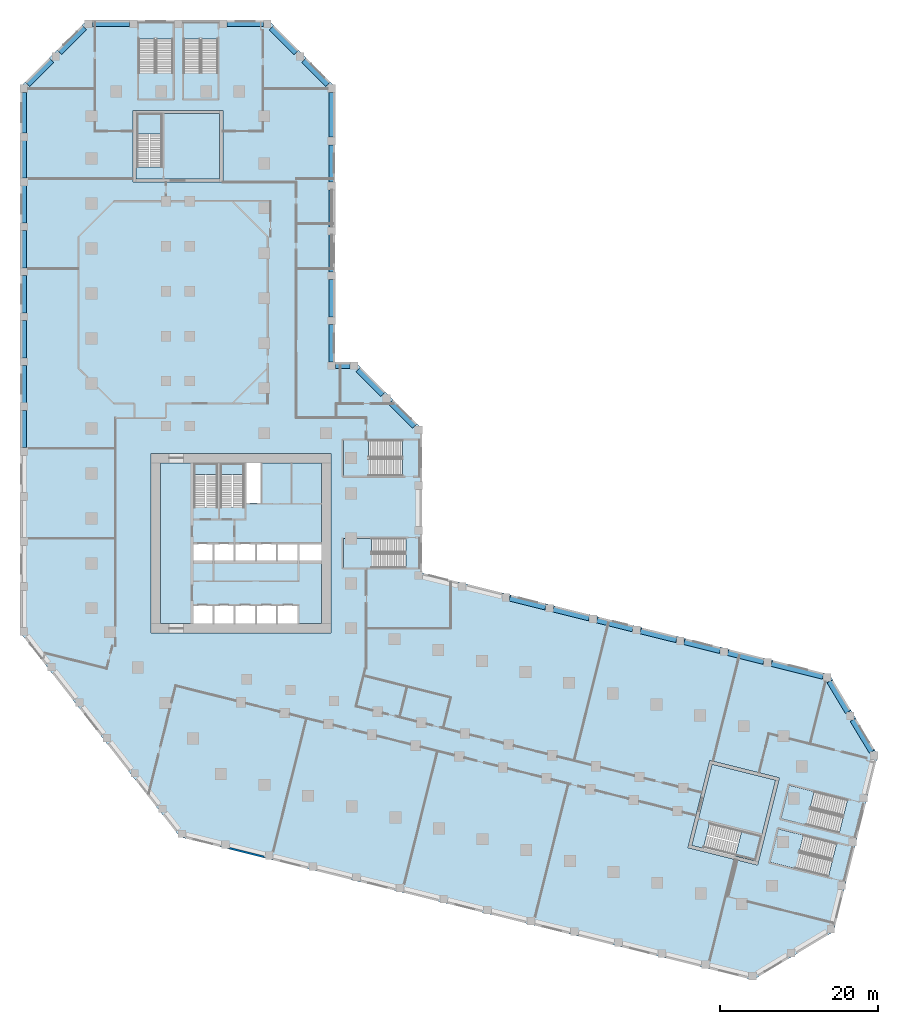
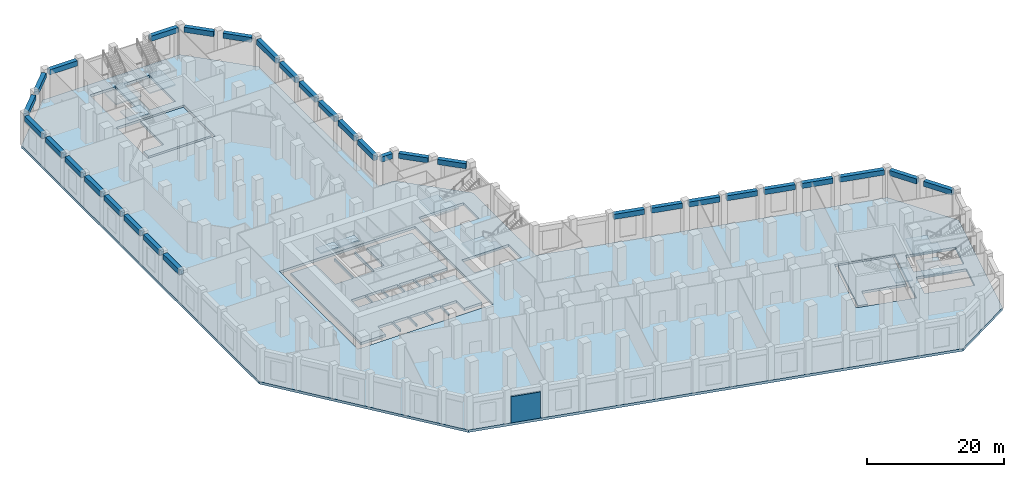
# One storey, part 2 of 15: 32 beams, 14 slabs, 1 wall, 10 elements without a shape of their own.
"""IFC4 building model written with IfcOpenShell, lengths in metres."""

from ifc_helpers import new_model, si_unit, direction, frame, frame_2d, origin, origin_2d, place, context, subcontext, project, spatial, polyline, rectangle, outline, extrude, material, layer, layer_set, material_profile, profile_set, type_object, element, aggregate, save


model = new_model("IFC4")

# Units and contexts
model_context = context("Model", 3, precision=1e-05, world=origin(), true_north=direction((0.0, 1.0)))
body_context = subcontext(model_context, "Body", "Model", "MODEL_VIEW")
ifc_project = project(units=[si_unit("LENGTHUNIT", "METRE"), si_unit("AREAUNIT", "SQUARE_METRE"), si_unit("VOLUMEUNIT", "CUBIC_METRE"), si_unit("PLANEANGLEUNIT", "RADIAN"), si_unit("MASSUNIT", "GRAM", prefix="KILO")], contexts=[model_context])

# Site, building, storey
site_placement = place(None, origin())
site = spatial("IfcSite", under=ifc_project, at=site_placement, CompositionType="ELEMENT")
building_placement = place(site_placement, origin())
building = spatial("IfcBuilding", under=site, at=building_placement, Name="Meshkara Civic Tower", CompositionType="ELEMENT")
storey_placement = place(building_placement, frame((0.0, 0.0, 12.60009765625)))
storey = spatial("IfcBuildingStorey", under=building, at=storey_placement, Name="L02", CompositionType="ELEMENT", Elevation=12.60009765625)

# Beams
ifc_material_1 = material(Name="Concrete C60", Category="concrete")
ifc_material_profile = material_profile(ifc_material_1, rectangle(XDim=0.699951171875, YDim=0.89990234375, at=origin_2d()))
ifc_profile_set = profile_set([ifc_material_profile], Name="Concrete C60")
beam_type = type_object("IfcBeamType", Name="Spandrel beam RC 700x900 C60", PredefinedType="BEAM", material=ifc_profile_set)
beam_1_placement = place(storey_placement, frame((30.403564453125, 83.652587890625, 5.099853515625), z_axis=(-0.707135193312, 0.707078367919, 0.0), x_axis=(-0.707078367919, -0.707135193312, 0.0)))
element("IfcBeam", 1, at=beam_1_placement, inside=storey, type_object=beam_type, Name="Spandrel beam PD12-E-PD13-01", PredefinedType="BEAM", context=body_context, shape_type="SweptSolid", body=[
    extrude(rectangle(XDim=0.699951171875, YDim=0.89990234375, at=origin_2d()), origin(), (0.0, 0.0, 1.0), 4.29638671875),
])
beam_2_placement = place(storey_placement, frame((26.37255859375, 87.68359375, 5.099853515625), z_axis=(-0.707134269933, 0.707079291371, 0.0), x_axis=(-0.707079291371, -0.707134269933, 0.0)))
element("IfcBeam", 2, at=beam_2_placement, inside=storey, type_object=beam_type, Name="Spandrel beam PD00-E-PD13-01", PredefinedType="BEAM", context=body_context, shape_type="SweptSolid", body=[
    extrude(rectangle(XDim=0.699951171875, YDim=0.89990234375, at=origin_2d()), origin(), (0.0, 0.0, 1.0), 4.440673828125),
])
beam_3_placement = place(storey_placement, frame((22.240966796875, 91.320068359375, 5.099853515625), z_axis=(-1.0, 0.0, 0.0), x_axis=(0.0, -1.0, 0.0)))
element("IfcBeam", 3, at=beam_3_placement, inside=storey, type_object=beam_type, Name="Spandrel beam PD00-03-PD00-E", PredefinedType="BEAM", context=body_context, shape_type="SweptSolid", body=[
    extrude(rectangle(XDim=0.699951171875, YDim=0.89990234375, at=origin_2d()), origin(), (0.0, 0.0, 1.0), 4.58203125),
])
beam_4_placement = place(storey_placement, frame((5.26904296875, 91.320068359375, 5.099853515625), z_axis=(-1.0, 0.0, 0.0), x_axis=(0.0, -1.0, 0.0)))
element("IfcBeam", 4, at=beam_4_placement, inside=storey, type_object=beam_type, Name="Spandrel beam PD00-00-PD00-01", PredefinedType="BEAM", context=body_context, shape_type="SweptSolid", body=[
    extrude(rectangle(XDim=0.699951171875, YDim=0.89990234375, at=origin_2d()), origin(), (0.0, 0.0, 1.0), 4.7099609375),
])
beam_5_placement = place(storey_placement, frame((-0.4326171875, 90.823486328125, 5.099853515625), z_axis=(-0.707106781187, -0.707106781187, 0.0), x_axis=(0.707106781187, -0.707106781187, 0.0)))
element("IfcBeam", 5, at=beam_5_placement, inside=storey, type_object=beam_type, Name="Spandrel beam PD00-00-PD01-01", PredefinedType="BEAM", context=body_context, shape_type="SweptSolid", body=[
    extrude(rectangle(XDim=0.699951171875, YDim=0.89990234375, at=origin_2d()), origin(), (0.0, 0.0, 1.0), 4.4404296875),
])
beam_6_placement = place(storey_placement, frame((-4.5654296875, 86.6904296875, 5.099853515625), z_axis=(-0.707135193312, -0.707078367919, 0.0), x_axis=(0.707078367919, -0.707135193312, 0.0)))
element("IfcBeam", 6, at=beam_6_placement, inside=storey, type_object=beam_type, Name="Spandrel beam PD01-00-PD01-01", PredefinedType="BEAM", context=body_context, shape_type="SweptSolid", body=[
    extrude(rectangle(XDim=0.699951171875, YDim=0.89990234375, at=origin_2d()), origin(), (0.0, 0.0, 1.0), 4.29638671875),
])
beam_7_placement = place(storey_placement, frame((-8.10009765625, 82.660888671875, 5.099853515625), z_axis=(0.0, -1.0, 0.0), x_axis=(1.0, 0.0, 0.0)))
element("IfcBeam", 7, at=beam_7_placement, inside=storey, type_object=beam_type, Name="Spandrel beam PD01-00-PD02-11", PredefinedType="BEAM", context=body_context, shape_type="SweptSolid", body=[
    extrude(rectangle(XDim=0.699951171875, YDim=0.89990234375, at=origin_2d()), origin(), (0.0, 0.0, 1.0), 5.15478515625),
])
beam_8_placement = place(storey_placement, frame((-8.10009765625, 76.51611328125, 5.099853515625), z_axis=(0.0, -1.0, 0.0), x_axis=(1.0, 0.0, 0.0)))
element("IfcBeam", 8, at=beam_8_placement, inside=storey, type_object=beam_type, Name="Spandrel beam PD02-10-PD02-11", PredefinedType="BEAM", context=body_context, shape_type="SweptSolid", body=[
    extrude(rectangle(XDim=0.699951171875, YDim=0.89990234375, at=origin_2d()), origin(), (0.0, 0.0, 1.0), 4.710205078125),
])
for number, where, z_axis, x_axis, name in (
    (9, (-8.10009765625, 70.81591796875, 5.099853515625), (0.0, -1.0, 0.0), (1.0, 0.0, 0.0), "Spandrel beam PD02-09-PD02-10"),
    (10, (-8.10009765625, 65.115966796875, 5.099853515625), (0.0, -1.0, 0.0), (1.0, 0.0, 0.0), "Spandrel beam PD02-08-PD02-09"),
    (11, (-8.10009765625, 59.416015625, 5.099853515625), (0.0, -1.0, 0.0), (1.0, 0.0, 0.0), "Spandrel beam PD02-07-PD02-08"),
    (12, (-8.10009765625, 53.716064453125, 5.099853515625), (0.0, -1.0, 0.0), (1.0, 0.0, 0.0), "Spandrel beam PD02-06-PD02-07"),
):
    element("IfcBeam", number, at=place(storey_placement, frame(where, z_axis=z_axis, x_axis=x_axis)), inside=storey, type_object=beam_type, Name=name, PredefinedType="BEAM", context=body_context, shape_type="SweptSolid", body=[
        extrude(rectangle(XDim=0.699951171875, YDim=0.89990234375, at=origin_2d()), origin(), (0.0, 0.0, 1.0), 4.7099609375),
    ])
beam_9_placement = place(storey_placement, frame((-8.10009765625, 48.01611328125, 5.099853515625), z_axis=(0.0, -1.0, 0.0), x_axis=(1.0, 0.0, 0.0)))
element("IfcBeam", 13, at=beam_9_placement, inside=storey, type_object=beam_type, Name="Spandrel beam PD02-05-PD02-06", PredefinedType="BEAM", context=body_context, shape_type="SweptSolid", body=[
    extrude(rectangle(XDim=0.699951171875, YDim=0.89990234375, at=origin_2d()), origin(), (0.0, 0.0, 1.0), 4.710205078125),
])
beam_10_placement = place(storey_placement, frame((-8.10009765625, 42.31591796875, 5.099853515625), z_axis=(0.0, -1.0, 0.0), x_axis=(1.0, 0.0, 0.0)))
element("IfcBeam", 14, at=beam_10_placement, inside=storey, type_object=beam_type, Name="Spandrel beam PD02-04-PD02-05", PredefinedType="BEAM", context=body_context, shape_type="SweptSolid", body=[
    extrude(rectangle(XDim=0.699951171875, YDim=0.89990234375, at=origin_2d()), origin(), (0.0, 0.0, 1.0), 4.7099609375),
])
beam_11_placement = place(storey_placement, frame((99.340087890625, -0.915283203125, 5.099853515625), z_axis=(-0.515169292752, 0.857088443398, 0.0), x_axis=(-0.857088443398, -0.515169292752, 0.0)))
element("IfcBeam", 15, at=beam_11_placement, inside=storey, type_object=beam_type, Name="Spandrel beam PD06-E-PD07-01", PredefinedType="BEAM", context=body_context, shape_type="SweptSolid", body=[
    extrude(rectangle(XDim=0.699951171875, YDim=0.89990234375, at=origin_2d()), origin(), (0.0, 0.0, 1.0), 4.689697265625),
])
beam_12_placement = place(storey_placement, frame((96.328125, 4.095703125, 5.099853515625), z_axis=(-0.515175277931, 0.857084845863, 0.0), x_axis=(-0.857084845863, -0.515175277931, 0.0)))
element("IfcBeam", 16, at=beam_12_placement, inside=storey, type_object=beam_type, Name="Spandrel beam PD07-00-PD07-01", PredefinedType="BEAM", context=body_context, shape_type="SweptSolid", body=[
    extrude(rectangle(XDim=0.699951171875, YDim=0.89990234375, at=origin_2d()), origin(), (0.0, 0.0, 1.0), 4.542724609375),
])
beam_13_placement = place(storey_placement, frame((93.19482421875, 8.6083984375, 5.099853515625), z_axis=(-0.97029537184, 0.24192331716, 0.0), x_axis=(-0.24192331716, -0.97029537184, 0.0)))
element("IfcBeam", 17, at=beam_13_placement, inside=storey, type_object=beam_type, Name="Spandrel beam PD07-00-PD08-08", PredefinedType="BEAM", context=body_context, shape_type="SweptSolid", body=[
    extrude(rectangle(XDim=0.699951171875, YDim=0.89990234375, at=origin_2d()), origin(), (0.0, 0.0, 1.0), 6.75537109375),
])
beam_14_placement = place(storey_placement, frame((85.64990234375, 10.489501953125, 5.099853515625), z_axis=(-0.970286590806, 0.241958533023, 0.0), x_axis=(-0.241958533023, -0.970286590806, 0.0)))
element("IfcBeam", 18, at=beam_14_placement, inside=storey, type_object=beam_type, Name="Spandrel beam PD08-07-PD08-08", PredefinedType="BEAM", context=body_context, shape_type="SweptSolid", body=[
    extrude(rectangle(XDim=0.699951171875, YDim=0.89990234375, at=origin_2d()), origin(), (0.0, 0.0, 1.0), 4.6787109375),
])
beam_15_placement = place(storey_placement, frame((80.119873046875, 11.868408203125, 5.099853515625), z_axis=(-0.970298806378, 0.241909541651, 0.0), x_axis=(-0.241909541651, -0.970298806378, 0.0)))
element("IfcBeam", 19, at=beam_15_placement, inside=storey, type_object=beam_type, Name="Spandrel beam PD08-06-PD08-07", PredefinedType="BEAM", context=body_context, shape_type="SweptSolid", body=[
    extrude(rectangle(XDim=0.699951171875, YDim=0.89990234375, at=origin_2d()), origin(), (0.0, 0.0, 1.0), 4.6796875),
])
beam_16_placement = place(storey_placement, frame((74.5888671875, 13.24755859375, 5.099853515625), z_axis=(-0.970249807203, 0.242105992539, 0.0), x_axis=(-0.242105992539, -0.970249807203, 0.0)))
element("IfcBeam", 20, at=beam_16_placement, inside=storey, type_object=beam_type, Name="Spandrel beam PD08-05-PD08-06", PredefinedType="BEAM", context=body_context, shape_type="SweptSolid", body=[
    extrude(rectangle(XDim=0.699951171875, YDim=0.89990234375, at=origin_2d()), origin(), (0.0, 0.0, 1.0), 4.679931640625),
])
beam_17_placement = place(storey_placement, frame((69.057861328125, 14.62744140625, 5.099853515625), z_axis=(-0.970286590806, 0.241958533023, 0.0), x_axis=(-0.241958533023, -0.970286590806, 0.0)))
element("IfcBeam", 21, at=beam_17_placement, inside=storey, type_object=beam_type, Name="Spandrel beam PD08-04-PD08-05", PredefinedType="BEAM", context=body_context, shape_type="SweptSolid", body=[
    extrude(rectangle(XDim=0.699951171875, YDim=0.89990234375, at=origin_2d()), origin(), (0.0, 0.0, 1.0), 4.6787109375),
])
for number, where, z_axis, x_axis, name in (
    (22, (63.52783203125, 16.006591796875, 5.099853515625), (-0.970311050729, 0.24186042428, 0.0), (-0.24186042428, -0.970311050729, 0.0), "Spandrel beam PD08-03-PD08-04"),
    (23, (57.996826171875, 17.385498046875, 5.099853515625), (-0.970298806378, 0.241909541651, 0.0), (-0.241909541651, -0.970298806378, 0.0), "Spandrel beam PD08-02-PD08-03"),
):
    element("IfcBeam", number, at=place(storey_placement, frame(where, z_axis=z_axis, x_axis=x_axis)), inside=storey, type_object=beam_type, Name=name, PredefinedType="BEAM", context=body_context, shape_type="SweptSolid", body=[
        extrude(rectangle(XDim=0.699951171875, YDim=0.89990234375, at=origin_2d()), origin(), (0.0, 0.0, 1.0), 4.6796875),
    ])
beam_18_placement = place(storey_placement, frame((41.403564453125, 40.33251953125, 5.099853515625), z_axis=(-0.707106781187, 0.707106781187, 0.0), x_axis=(-0.707106781187, -0.707106781187, 0.0)))
element("IfcBeam", 24, at=beam_18_placement, inside=storey, type_object=beam_type, Name="Spandrel beam PD09-E-PD10-01", PredefinedType="BEAM", context=body_context, shape_type="SweptSolid", body=[
    extrude(rectangle(XDim=0.699951171875, YDim=0.89990234375, at=origin_2d()), origin(), (0.0, 0.0, 1.0), 4.29638671875),
])
beam_19_placement = place(storey_placement, frame((37.37255859375, 44.363525390625, 5.099853515625), z_axis=(-0.707134269933, 0.707079291371, 0.0), x_axis=(-0.707079291371, -0.707134269933, 0.0)))
element("IfcBeam", 25, at=beam_19_placement, inside=storey, type_object=beam_type, Name="Spandrel beam PD10-01-PD10-E", PredefinedType="BEAM", context=body_context, shape_type="SweptSolid", body=[
    extrude(rectangle(XDim=0.699951171875, YDim=0.89990234375, at=origin_2d()), origin(), (0.0, 0.0, 1.0), 4.440673828125),
])
beam_20_placement = place(storey_placement, frame((33.240966796875, 48.0, 5.099853515625), z_axis=(-1.0, 0.0, 0.0), x_axis=(0.0, -1.0, 0.0)))
element("IfcBeam", 26, at=beam_20_placement, inside=storey, type_object=beam_type, Name="Spandrel beam PD10-E-PD11-00", PredefinedType="BEAM", context=body_context, shape_type="SweptSolid", body=[
    extrude(rectangle(XDim=0.699951171875, YDim=0.89990234375, at=origin_2d()), origin(), (0.0, 0.0, 1.0), 1.845947265625),
])
for number, where, z_axis, x_axis, name in (
    (27, (30.89990234375, 48.4951171875, 5.099853515625), (0.0, 1.0, 0.0), (-1.0, 0.0, 0.0), "Spandrel beam PD11-00-PD12-01"),
    (28, (30.89990234375, 54.195068359375, 5.099853515625), (0.0, 1.0, 0.0), (-1.0, 0.0, 0.0), "Spandrel beam PD12-01-PD12-02"),
    (29, (30.89990234375, 59.89501953125, 5.099853515625), (0.0, 1.0, 0.0), (-1.0, 0.0, 0.0), "Spandrel beam PD12-02-PD12-03"),
    (30, (30.89990234375, 65.594970703125, 5.099853515625), (0.0, 1.0, 0.0), (-1.0, 0.0, 0.0), "Spandrel beam PD12-03-PD12-04"),
    (31, (30.89990234375, 71.294921875, 5.099853515625), (0.0, 1.0, 0.0), (-1.0, 0.0, 0.0), "Spandrel beam PD12-04-PD12-05"),
):
    element("IfcBeam", number, at=place(storey_placement, frame(where, z_axis=z_axis, x_axis=x_axis)), inside=storey, type_object=beam_type, Name=name, PredefinedType="BEAM", context=body_context, shape_type="SweptSolid", body=[
        extrude(rectangle(XDim=0.699951171875, YDim=0.89990234375, at=origin_2d()), origin(), (0.0, 0.0, 1.0), 4.7099609375),
    ])
beam_21_placement = place(storey_placement, frame((30.89990234375, 76.9951171875, 5.099853515625), z_axis=(0.0, 1.0, 0.0), x_axis=(-1.0, 0.0, 0.0)))
element("IfcBeam", 32, at=beam_21_placement, inside=storey, type_object=beam_type, Name="Spandrel beam PD12-05-PD12-E", PredefinedType="BEAM", context=body_context, shape_type="SweptSolid", body=[
    extrude(rectangle(XDim=0.699951171875, YDim=0.89990234375, at=origin_2d()), origin(), (0.0, 0.0, 1.0), 5.665771484375),
])

# Slabs
ifc_material_2 = material(Name="Concrete C40/50", Category="concrete")
ifc_layer_1 = layer(ifc_material_2, 0.449951171875)
ifc_layer_set_1 = layer_set([ifc_layer_1], Name="Core floor slab 450 C40/50")
slab_type_1 = type_object("IfcSlabType", Name="Core floor slab 450 C40/50", PredefinedType="FLOOR", material=ifc_layer_set_1)
slab_1_placement = place(storey_placement, frame((0.0, 0.0, -0.4501953125)))
element("IfcSlab", 33, at=slab_1_placement, inside=storey, type_object=slab_type_1, Name="Core floor K", PredefinedType="FLOOR", context=body_context, shape_type="SweptSolid", body=[
    extrude(outline(polyline([(9.199951171875, 35.699951171875), (13.39990234375, 35.699951171875), (13.39990234375, 30.00146484375), (16.5, 30.00146484375), (16.5, 35.699951171875), (16.699951171875, 35.699951171875), (16.699951171875, 30.00146484375), (19.89990234375, 30.00146484375), (19.89990234375, 35.699951171875), (20.10009765625, 35.699951171875), (20.10009765625, 30.574951171875), (21.925048828125, 30.574951171875), (21.925048828125, 35.699951171875), (29.60009765625, 35.699951171875), (29.60009765625, 25.39990234375), (26.800048828125, 25.39990234375), (26.800048828125, 23.300048828125), (29.60009765625, 23.300048828125), (29.60009765625, 15.300048828125), (26.60009765625, 15.300048828125), (26.60009765625, 17.60009765625), (24.10009765625, 17.60009765625), (24.10009765625, 15.300048828125), (23.89990234375, 15.300048828125), (23.89990234375, 17.60009765625), (21.39990234375, 17.60009765625), (21.39990234375, 15.300048828125), (21.199951171875, 15.300048828125), (21.199951171875, 17.60009765625), (18.699951171875, 17.60009765625), (18.699951171875, 15.300048828125), (18.5, 15.300048828125), (18.5, 17.60009765625), (16.0, 17.60009765625), (16.0, 15.300048828125), (15.800048828125, 15.300048828125), (15.800048828125, 17.60009765625), (13.39990234375, 17.60009765625), (13.39990234375, 15.300048828125), (9.199951171875, 15.300048828125), (9.199951171875, 35.699951171875)]), holes=[polyline([(13.39990234375, 25.39990234375), (13.39990234375, 23.300048828125), (15.800048828125, 23.300048828125), (15.800048828125, 25.39990234375), (13.39990234375, 25.39990234375)]), polyline([(18.5, 23.300048828125), (18.5, 25.39990234375), (16.0, 25.39990234375), (16.0, 23.300048828125), (18.5, 23.300048828125)]), polyline([(18.699951171875, 25.39990234375), (18.699951171875, 23.300048828125), (21.199951171875, 23.300048828125), (21.199951171875, 25.39990234375), (18.699951171875, 25.39990234375)]), polyline([(23.89990234375, 23.300048828125), (23.89990234375, 25.39990234375), (21.39990234375, 25.39990234375), (21.39990234375, 23.300048828125), (23.89990234375, 23.300048828125)]), polyline([(26.60009765625, 23.300048828125), (26.60009765625, 25.39990234375), (24.10009765625, 25.39990234375), (24.10009765625, 23.300048828125), (26.60009765625, 23.300048828125)])]), origin(), (0.0, 0.0, 1.0), 0.4501953125),
])
slab_2_placement = place(storey_placement, frame((0.0, 0.0, -0.4501953125)))
element("IfcSlab", 34, at=slab_2_placement, inside=storey, type_object=slab_type_1, Name="Core floor EA", PredefinedType="FLOOR", context=body_context, shape_type="SweptSolid", body=[
    extrude(outline(polyline([(16.699951171875, 71.669921875), (16.699951171875, 79.969970703125), (9.5, 79.969970703125), (9.5, 73.17138671875), (6.10009765625, 73.17138671875), (6.10009765625, 71.669921875), (16.699951171875, 71.669921875)])), origin(), (0.0, 0.0, 1.0), 0.4501953125),
])
slab_3_placement = place(storey_placement, frame((0.0, 0.0, -0.4501953125)))
element("IfcSlab", 35, at=slab_3_placement, inside=storey, type_object=slab_type_1, Name="Core floor EB", PredefinedType="FLOOR", context=body_context, shape_type="SweptSolid", body=[
    extrude(outline(polyline([(79.11181640625, -2.513671875), (87.165283203125, -4.521484375), (85.423583984375, -11.507568359375), (78.826904296875, -9.863037109375), (78.00439453125, -13.161865234375), (76.547607421875, -12.798583984375), (79.11181640625, -2.513671875)])), origin(), (0.0, 0.0, 1.0), 0.4501953125),
])

# Stair, slab
ifc_material_3 = material(Name="Precast concrete C40/50", Category="concrete")
stair_type_1 = type_object("IfcStairType", Name="Exit stair half-turn 32 risers precast", PredefinedType="HALF_TURN_STAIR", material=ifc_material_3)
stair_1_placement = place(storey_placement, origin())
stair_1 = element("IfcStair", 36, at=stair_1_placement, inside=storey, type_object=stair_type_1, Name="L02 exit stair 1", PredefinedType="HALF_TURN_STAIR")
ifc_material_4 = material(Name="Precast concrete C40/50", Category="concrete")
ifc_layer_2 = layer(ifc_material_4, 0.199951171875)
ifc_layer_set_2 = layer_set([ifc_layer_2], Name="Exit stair landing 200")
slab_type_2 = type_object("IfcSlabType", Name="Exit stair landing 200", PredefinedType="LANDING", material=ifc_layer_set_2)
slab_4_placement = place(storey_placement, frame((0.0, 0.0, 2.7998046875)))
slab_4 = element("IfcSlab", 37, at=slab_4_placement, type_object=slab_type_2, Name="ST1 landing 1", PredefinedType="LANDING", context=body_context, shape_type="SweptSolid", body=[
    extrude(outline(polyline([(16.5, 34.198486328125), (16.5, 35.699951171875), (13.39990234375, 35.699951171875), (13.39990234375, 34.198486328125), (16.5, 34.198486328125)])), origin(), (0.0, 0.0, 1.0), 0.2001953125),
])
aggregate(stair_1, [slab_4])

stair_2_placement = place(storey_placement, origin())
stair_2 = element("IfcStair", 38, at=stair_2_placement, inside=storey, type_object=stair_type_1, Name="L02 exit stair 2", PredefinedType="HALF_TURN_STAIR")
slab_5_placement = place(storey_placement, frame((0.0, 0.0, 2.7998046875)))
slab_5 = element("IfcSlab", 39, at=slab_5_placement, type_object=slab_type_2, Name="ST2 landing 1", PredefinedType="LANDING", context=body_context, shape_type="SweptSolid", body=[
    extrude(outline(polyline([(19.89990234375, 34.198486328125), (19.89990234375, 35.699951171875), (16.699951171875, 35.699951171875), (16.699951171875, 34.198486328125), (19.89990234375, 34.198486328125)])), origin(), (0.0, 0.0, 1.0), 0.2001953125),
])
aggregate(stair_2, [slab_5])

ifc_material_5 = material(Name="Precast concrete C40/50", Category="concrete")
stair_type_2 = type_object("IfcStairType", Name="Exit stair half-turn 32 risers 1500 precast", PredefinedType="HALF_TURN_STAIR", material=ifc_material_5)
stair_3_placement = place(storey_placement, origin())
stair_3 = element("IfcStair", 40, at=stair_3_placement, inside=storey, type_object=stair_type_2, Name="L02 exit stair A from B2", PredefinedType="HALF_TURN_STAIR")
slab_6_placement = place(storey_placement, frame((0.0, 0.0, 2.7998046875)))
slab_6 = element("IfcSlab", 41, at=slab_6_placement, type_object=slab_type_2, Name="ESA1 landing 1", PredefinedType="LANDING", context=body_context, shape_type="SweptSolid", body=[
    extrude(outline(polyline([(9.5, 77.368408203125), (9.5, 79.969970703125), (6.10009765625, 79.969970703125), (6.10009765625, 77.368408203125), (9.5, 77.368408203125)])), origin(), (0.0, 0.0, 1.0), 0.2001953125),
])
aggregate(stair_3, [slab_6])

stair_4_placement = place(storey_placement, origin())
stair_4 = element("IfcStair", 42, at=stair_4_placement, inside=storey, type_object=stair_type_2, Name="L02 exit stair B from B2", PredefinedType="HALF_TURN_STAIR")
slab_7_placement = place(storey_placement, frame((0.0, 0.0, 2.7998046875)))
slab_7 = element("IfcSlab", 43, at=slab_7_placement, type_object=slab_type_2, Name="ESB1 landing 1", PredefinedType="LANDING", context=body_context, shape_type="SweptSolid", body=[
    extrude(outline(polyline([(82.076416015625, -14.17822265625), (84.600830078125, -14.80810546875), (85.424072265625, -11.50830078125), (82.899658203125, -10.87841796875), (82.076416015625, -14.17822265625)])), origin(), (0.0, 0.0, 1.0), 0.2001953125),
])
aggregate(stair_4, [slab_7])

# Slab
ifc_material_6 = material(Name="Concrete C50", Category="concrete")
ifc_layer_3 = layer(ifc_material_6, 0.449951171875)
ifc_layer_set_3 = layer_set([ifc_layer_3], Name="Podium floor slab 450 C50")
slab_type_3 = type_object("IfcSlabType", Name="Podium floor slab 450 C50", PredefinedType="FLOOR", material=ifc_layer_set_3)
slab_8_placement = place(storey_placement, frame((0.0, 0.0, -0.4501953125)))
element("IfcSlab", 44, at=slab_8_placement, inside=storey, type_object=slab_type_3, Name="Podium floor slab L02", PredefinedType="FLOOR", context=body_context, shape_type="SweptSolid", body=[
    extrude(outline(polyline([(33.922119140625, 48.449951171875), (42.35009765625, 40.02197265625), (42.35009765625, 21.7509765625), (93.97998046875, 8.876953125), (100.1201171875, -1.339111328125), (94.544921875, -23.697998046875), (84.327880859375, -29.8369140625), (11.6669921875, -11.720947265625), (-8.550048828125, 14.156005859375), (-8.550048828125, 83.342041015625), (-0.1220703125, 91.77001953125), (22.922119140625, 91.77001953125), (31.35009765625, 83.342041015625), (31.35009765625, 48.449951171875), (33.922119140625, 48.449951171875)]), holes=[polyline([(30.800048828125, 14.10009765625), (30.800048828125, 36.89990234375), (8.0, 36.89990234375), (8.0, 14.10009765625), (30.800048828125, 14.10009765625)]), polyline([(17.10009765625, 80.3701171875), (5.699951171875, 80.3701171875), (5.699951171875, 71.27001953125), (17.10009765625, 71.27001953125), (17.10009765625, 80.3701171875)]), polyline([(10.784912109375, 81.821044921875), (10.784912109375, 89.4189453125), (6.43505859375, 89.4189453125), (6.43505859375, 81.821044921875), (10.784912109375, 81.821044921875)]), polyline([(16.485107421875, 81.821044921875), (16.485107421875, 89.4189453125), (12.135009765625, 89.4189453125), (12.135009765625, 81.821044921875), (16.485107421875, 81.821044921875)]), polyline([(93.85009765625, -16.767578125), (94.90234375, -12.546630859375), (87.530029296875, -10.70849609375), (86.477783203125, -14.929443359375), (93.85009765625, -16.767578125)]), polyline([(78.821044921875, -2.029052734375), (76.06298828125, -13.090087890625), (84.89208984375, -15.2919921875), (87.64990234375, -4.22998046875), (78.821044921875, -2.029052734375)]), polyline([(95.22900390625, -11.236572265625), (96.281494140625, -7.015625), (88.9091796875, -5.177490234375), (87.856689453125, -9.3984375), (95.22900390625, -11.236572265625)]), polyline([(32.40087890625, 22.375), (40.299072265625, 22.375), (40.299072265625, 26.125), (32.40087890625, 26.125), (32.40087890625, 22.375)]), polyline([(32.40087890625, 34.02490234375), (39.89892578125, 34.02490234375), (39.89892578125, 38.574951171875), (32.40087890625, 38.574951171875), (32.40087890625, 34.02490234375)])]), origin(), (0.0, 0.0, 1.0), 0.4501953125),
])

# Stair, slab
ifc_material_7 = material(Name="Precast concrete C40/50", Category="concrete")
stair_type_3 = type_object("IfcStairType", Name="Podium exit stair half-turn 32 risers 2100 wide precast", PredefinedType="HALF_TURN_STAIR", material=ifc_material_7)
stair_5_placement = place(storey_placement, origin())
stair_5 = element("IfcStair", 45, at=stair_5_placement, inside=storey, type_object=stair_type_3, Name="L02 podium exit stair PS1", PredefinedType="HALF_TURN_STAIR")
ifc_material_8 = material(Name="Precast concrete C40/50", Category="concrete")
ifc_layer_4 = layer(ifc_material_8, 0.199951171875)
ifc_layer_set_4 = layer_set([ifc_layer_4], Name="Podium stair landing 200")
slab_type_4 = type_object("IfcSlabType", Name="Podium stair landing 200", PredefinedType="LANDING", material=ifc_layer_set_4)
slab_9_placement = place(storey_placement, frame((0.0, 0.0, 2.7998046875)))
slab_9 = element("IfcSlab", 46, at=slab_9_placement, type_object=slab_type_4, Name="PS1 landing 1", PredefinedType="LANDING", context=body_context, shape_type="SweptSolid", body=[
    extrude(outline(polyline([(10.784912109375, 81.81005859375), (6.43505859375, 81.81005859375), (6.43505859375, 85.080078125), (8.68505859375, 85.080078125), (8.68505859375, 86.070068359375), (10.784912109375, 86.070068359375), (10.784912109375, 81.81005859375)])), origin(), (0.0, 0.0, 1.0), 0.2001953125),
])
aggregate(stair_5, [slab_9])

stair_6_placement = place(storey_placement, origin())
stair_6 = element("IfcStair", 47, at=stair_6_placement, inside=storey, type_object=stair_type_3, Name="L02 podium exit stair PS2", PredefinedType="HALF_TURN_STAIR")
slab_10_placement = place(storey_placement, frame((0.0, 0.0, 2.7998046875)))
slab_10 = element("IfcSlab", 48, at=slab_10_placement, type_object=slab_type_4, Name="PS2 landing 1", PredefinedType="LANDING", context=body_context, shape_type="SweptSolid", body=[
    extrude(outline(polyline([(16.485107421875, 81.81005859375), (12.135009765625, 81.81005859375), (12.135009765625, 85.080078125), (14.385009765625, 85.080078125), (14.385009765625, 86.070068359375), (16.485107421875, 86.070068359375), (16.485107421875, 81.81005859375)])), origin(), (0.0, 0.0, 1.0), 0.2001953125),
])
aggregate(stair_6, [slab_10])

stair_7_placement = place(storey_placement, origin())
stair_7 = element("IfcStair", 49, at=stair_7_placement, inside=storey, type_object=stair_type_3, Name="L02 podium exit stair PS3", PredefinedType="HALF_TURN_STAIR")
slab_11_placement = place(storey_placement, frame((0.0, 0.0, 2.7998046875)))
slab_11 = element("IfcSlab", 50, at=slab_11_placement, type_object=slab_type_4, Name="PS3 landing 1", PredefinedType="LANDING", context=body_context, shape_type="SweptSolid", body=[
    extrude(outline(polyline([(91.108642578125, -13.919677734375), (90.6005859375, -15.957275390625), (86.467041015625, -14.9267578125), (87.519287109375, -10.705810546875), (90.6923828125, -11.4970703125), (90.14794921875, -13.68017578125), (91.108642578125, -13.919677734375)])), origin(), (0.0, 0.0, 1.0), 0.2001953125),
])
aggregate(stair_7, [slab_11])

stair_8_placement = place(storey_placement, origin())
stair_8 = element("IfcStair", 51, at=stair_8_placement, inside=storey, type_object=stair_type_3, Name="L02 podium exit stair PS4", PredefinedType="HALF_TURN_STAIR")
slab_12_placement = place(storey_placement, frame((0.0, 0.0, 2.7998046875)))
slab_12 = element("IfcSlab", 52, at=slab_12_placement, type_object=slab_type_4, Name="PS4 landing 1", PredefinedType="LANDING", context=body_context, shape_type="SweptSolid", body=[
    extrude(outline(polyline([(92.487548828125, -8.388671875), (91.9794921875, -10.42626953125), (87.84619140625, -9.395751953125), (88.8984375, -5.1748046875), (92.0712890625, -5.966064453125), (91.527099609375, -8.149169921875), (92.487548828125, -8.388671875)])), origin(), (0.0, 0.0, 1.0), 0.2001953125),
])
aggregate(stair_8, [slab_12])

ifc_material_9 = material(Name="Precast concrete C40/50", Category="concrete")
stair_type_4 = type_object("IfcStairType", Name="Podium exit stair half-turn 32 risers 1800 wide precast", PredefinedType="HALF_TURN_STAIR", material=ifc_material_9)
stair_9_placement = place(storey_placement, origin())
stair_9 = element("IfcStair", 53, at=stair_9_placement, inside=storey, type_object=stair_type_4, Name="L02 podium exit stair PS5", PredefinedType="HALF_TURN_STAIR")
slab_13_placement = place(storey_placement, frame((0.0, 0.0, 2.7998046875)))
slab_13 = element("IfcSlab", 54, at=slab_13_placement, type_object=slab_type_4, Name="PS5 landing 1", PredefinedType="LANDING", context=body_context, shape_type="SweptSolid", body=[
    extrude(outline(polyline([(36.949951171875, 24.175048828125), (36.949951171875, 22.375), (32.389892578125, 22.375), (32.389892578125, 26.125), (35.9599609375, 26.125), (35.9599609375, 24.175048828125), (36.949951171875, 24.175048828125)])), origin(), (0.0, 0.0, 1.0), 0.2001953125),
])
aggregate(stair_9, [slab_13])

ifc_material_10 = material(Name="Precast concrete C40/50", Category="concrete")
stair_type_5 = type_object("IfcStairType", Name="Podium exit stair half-turn 32 risers 2200 wide precast", PredefinedType="HALF_TURN_STAIR", material=ifc_material_10)
stair_10_placement = place(storey_placement, origin())
stair_10 = element("IfcStair", 55, at=stair_10_placement, inside=storey, type_object=stair_type_5, Name="L02 podium exit stair PS6", PredefinedType="HALF_TURN_STAIR")
slab_14_placement = place(storey_placement, frame((0.0, 0.0, 2.7998046875)))
slab_14 = element("IfcSlab", 56, at=slab_14_placement, type_object=slab_type_4, Name="PS6 landing 1", PredefinedType="LANDING", context=body_context, shape_type="SweptSolid", body=[
    extrude(outline(polyline([(36.550048828125, 36.22509765625), (36.550048828125, 34.02490234375), (32.389892578125, 34.02490234375), (32.389892578125, 38.574951171875), (35.56005859375, 38.574951171875), (35.56005859375, 36.22509765625), (36.550048828125, 36.22509765625)])), origin(), (0.0, 0.0, 1.0), 0.2001953125),
])
aggregate(stair_10, [slab_14])

# Wall
ifc_material_11 = material(Name="Stone cladding on insulated backing wall", Category="masonry")
ifc_layer_5 = layer(ifc_material_11, 0.25)
ifc_layer_set_5 = layer_set([ifc_layer_5], Name="PODIUM STONE WALL 250")
wall_type = type_object("IfcWallType", Name="PODIUM STONE WALL 250", PredefinedType="SOLIDWALL", material=ifc_layer_set_5)
wall_placement = place(storey_placement, frame((17.967041015625, -13.1630859375, 0.0), z_axis=(0.0, 0.0, 1.0), x_axis=(0.970315118421, -0.24184410467, 0.0)))
element("IfcWall", 57, at=wall_placement, inside=storey, type_object=wall_type, Name="Podium external wall", PredefinedType="SOLIDWALL", context=body_context, shape_type="SweptSolid", body=[
    extrude(rectangle(XDim=4.486083984375, YDim=0.25, at=frame_2d((2.2431640625, 0.0))), origin(), (0.0, 0.0, 1.0), 4.64990234375),
])

save(model, "model.ifc")
